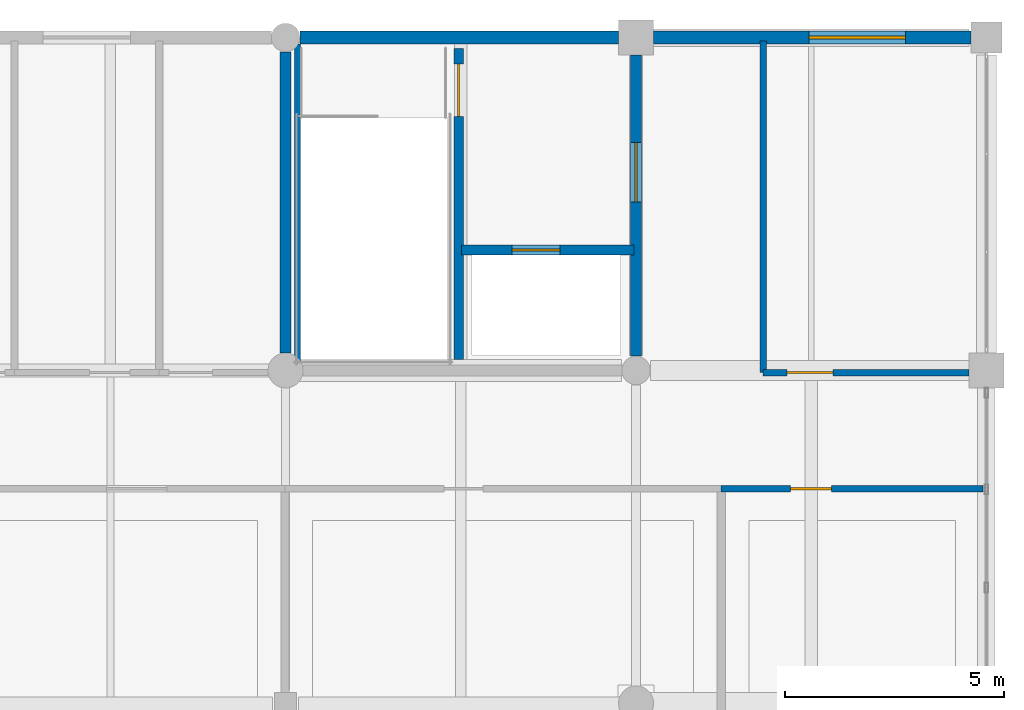
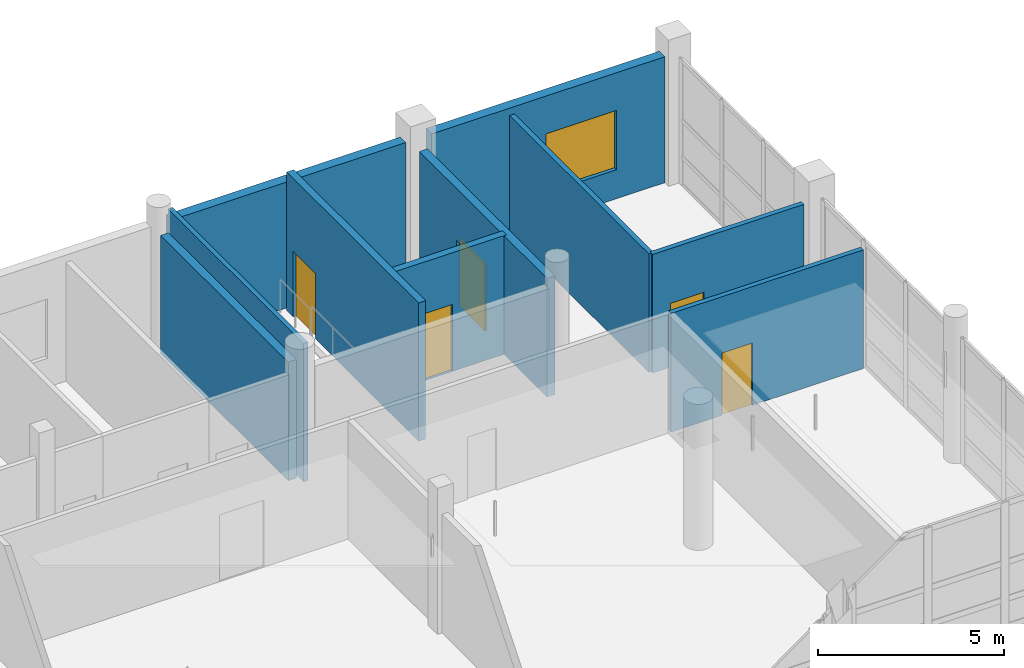
# One storey, part 13 of 18: 10 walls, 5 doors, 1 window, 6 openings.
"""IFC4 building model written with IfcOpenShell, lengths in metres."""

from ifc_helpers import new_model, si_unit, direction, frame, frame_2d, origin, place, context, subcontext, project, spatial, rectangle, extrude, material, layer, layer_set, type_object, element, fill, save


model = new_model("IFC4")

# Units and contexts
model_context = context("Model", 3, precision=1e-05, world=origin(), true_north=direction((0.0, 1.0)))
body_context = subcontext(model_context, "Body", "Model", "MODEL_VIEW")
ifc_project = project(units=[si_unit("LENGTHUNIT", "METRE"), si_unit("AREAUNIT", "SQUARE_METRE"), si_unit("VOLUMEUNIT", "CUBIC_METRE"), si_unit("PLANEANGLEUNIT", "RADIAN"), si_unit("MASSUNIT", "GRAM", prefix="KILO")], contexts=[model_context])

# Site, building, storey
site_placement = place(None, origin())
site = spatial("IfcSite", under=ifc_project, at=site_placement, CompositionType="ELEMENT")
building_placement = place(site_placement, origin())
building = spatial("IfcBuilding", under=site, at=building_placement, Name="Khelvaren Railside Concert Hall", CompositionType="ELEMENT")
storey_placement = place(building_placement, frame((0.0, 0.0, 24.60009765625)))
storey = spatial("IfcBuildingStorey", under=building, at=storey_placement, Name="L05", CompositionType="ELEMENT", Elevation=24.60009765625)

# Walls
ifc_material_1 = material(Name="Concrete C40/50", Category="concrete")
ifc_layer_1 = layer(ifc_material_1, 0.139892578125)
ifc_layer_set_1 = layer_set([ifc_layer_1], Name="Concrete C40/50")
wall_type_1 = type_object("IfcWallType", Name="CW17", PredefinedType="SOLIDWALL", material=ifc_layer_set_1)
wall_1_placement = place(storey_placement, frame((168.27490234375, 106.550048828125, 0.0), z_axis=(0.0, 0.0, 1.0), x_axis=(0.0, 1.0, 0.0)))
element("IfcWall", 1, at=wall_1_placement, inside=storey, type_object=wall_type_1, Name="Core Shaft Structural Liner Wall ST-10-L05", PredefinedType="SOLIDWALL", context=body_context, shape_type="SweptSolid", body=[
    extrude(rectangle(XDim=7.300048828125, YDim=0.139892578125, at=frame_2d((3.64990234375, 0.0))), origin(), (0.0, 0.0, 1.0), 4.5498046875),
])
ifc_layer_2 = layer(ifc_material_1, 0.25)
ifc_layer_set_2 = layer_set([ifc_layer_2], Name="Concrete C40/50")
wall_type_2 = type_object("IfcWallType", Name="CW82", PredefinedType="SOLIDWALL", material=ifc_layer_set_2)
wall_2_placement = place(storey_placement, frame((168.0, 106.800048828125, 0.0), z_axis=(0.0, 0.0, 1.0), x_axis=(0.0, 1.0, 0.0)))
element("IfcWall", 2, at=wall_2_placement, inside=storey, type_object=wall_type_2, Name="Core Enclosure Wall CWALL-ST-10-L05-W", PredefinedType="SOLIDWALL", context=body_context, shape_type="SweptSolid", body=[
    extrude(rectangle(XDim=6.875, YDim=0.25, at=frame_2d((3.4375, 0.0))), origin(), (0.0, 0.0, 1.0), 3.89990234375),
])

# Wall, opening, door
wall_3_placement = place(storey_placement, frame((176.0, 106.72509765625, 0.0), z_axis=(0.0, 0.0, 1.0), x_axis=(0.0, 1.0, 0.0)))
wall_3 = element("IfcWall", 3, at=wall_3_placement, inside=storey, type_object=wall_type_2, Name="Core Enclosure Wall CWALL-ST-10-L05-E", PredefinedType="SOLIDWALL", context=body_context, shape_type="SweptSolid", body=[
    extrude(rectangle(XDim=6.875, YDim=0.25, at=frame_2d((3.4375, 0.0))), origin(), (0.0, 0.0, 1.0), 3.89990234375),
])
opening_1_placement = place(wall_3_placement, frame((3.52490234375, 0.0, 0.0)))
opening_1 = element("IfcOpeningElement", 4, at=opening_1_placement, cuts=wall_3, Name="Opening FDR34", PredefinedType="OPENING", context=body_context, shape_type="SweptSolid", body=[
    extrude(rectangle(XDim=1.35009765625, YDim=2.199951171875, at=frame_2d((0.675048828125, 1.10009765625))), frame((0.0, 0.135009765625, 0.0), z_axis=(0.0, -1.0, 0.0), x_axis=(1.0, 0.0, 0.0)), (0.0, 0.0, 1.0), 0.27001953125),
])
ifc_material_2 = material(Name="Acoustic fire-rated timber-core steel frame door", Category="steel")
door_type_1 = type_object("IfcDoorType", Name="FDR34", OperationType="NOTDEFINED", PredefinedType="DOOR", material=ifc_material_2)
door_1_placement = place(opening_1_placement, origin())
door_1 = element("IfcDoor", 5, at=door_1_placement, inside=storey, type_object=door_type_1, Name="Interior Door DR-ST-10-L05-LOB", OperationType="SINGLE_SWING_LEFT", OverallHeight=2.199951171875, OverallWidth=1.35009765625, PredefinedType="DOOR", context=body_context, shape_type="SweptSolid", body=[
    extrude(rectangle(XDim=1.35009765625, YDim=2.199951171875, at=frame_2d((0.675048828125, 1.10009765625))), frame((0.0, 0.02490234375, 0.0), z_axis=(0.0, -1.0, 0.0), x_axis=(1.0, 0.0, 0.0)), (0.0, 0.0, 1.0), 0.050048828125),
])
fill(opening_1, door_1)

ifc_layer_3 = layer(ifc_material_1, 0.219970703125)
ifc_layer_set_3 = layer_set([ifc_layer_3], Name="Concrete C40/50")
wall_type_3 = type_object("IfcWallType", Name="CW97", PredefinedType="SOLIDWALL", material=ifc_layer_set_3)
wall_4_placement = place(storey_placement, frame((171.949951171875, 106.64990234375, 0.0), z_axis=(0.0, 0.0, 1.0), x_axis=(0.0, 1.0, 0.0)))
wall_4 = element("IfcWall", 6, at=wall_4_placement, inside=storey, type_object=wall_type_3, Name="Core Enclosure Wall CWALL-ST-10-L05-MID", PredefinedType="SOLIDWALL", context=body_context, shape_type="SweptSolid", body=[
    extrude(rectangle(XDim=7.10009765625, YDim=0.219970703125, at=frame_2d((3.550048828125, 0.0))), origin(), (0.0, 0.0, 1.0), 4.5498046875),
])
opening_2_placement = place(wall_4_placement, frame((5.550048828125, 0.0, 0.0)))
opening_2 = element("IfcOpeningElement", 7, at=opening_2_placement, cuts=wall_4, Name="Opening FDR17", PredefinedType="OPENING", context=body_context, shape_type="SweptSolid", body=[
    extrude(rectangle(XDim=1.199951171875, YDim=2.14990234375, at=frame_2d((0.60009765625, 1.074951171875))), frame((0.0, 0.119873046875, 0.0), z_axis=(0.0, -1.0, 0.0), x_axis=(1.0, 0.0, 0.0)), (0.0, 0.0, 1.0), 0.239990234375),
])
door_type_2 = type_object("IfcDoorType", Name="FDR17", OperationType="NOTDEFINED", PredefinedType="DOOR", material=ifc_material_2)
door_2_placement = place(opening_2_placement, origin())
door_2 = element("IfcDoor", 8, at=door_2_placement, inside=storey, type_object=door_type_2, Name="Interior Door DR-ST-10-L05-ST", OperationType="SINGLE_SWING_RIGHT", OverallHeight=2.14990234375, OverallWidth=1.199951171875, PredefinedType="DOOR", context=body_context, shape_type="SweptSolid", body=[
    extrude(rectangle(XDim=1.199951171875, YDim=2.14990234375, at=frame_2d((0.60009765625, 1.074951171875))), frame((0.0, 0.02490234375, 0.0), z_axis=(0.0, -1.0, 0.0), x_axis=(1.0, 0.0, 0.0)), (0.0, 0.0, 1.0), 0.050048828125),
])
fill(opening_2, door_2)

wall_5_placement = place(storey_placement, frame((172.02001953125, 109.14990234375, 0.0), z_axis=(0.0, 0.0, 1.0), x_axis=(1.0, 0.0, 0.0)))
wall_5 = element("IfcWall", 9, at=wall_5_placement, inside=storey, type_object=wall_type_3, Name="Core Enclosure Wall CWALL-ST-10-L05-SHF", PredefinedType="SOLIDWALL", context=body_context, shape_type="SweptSolid", body=[
    extrude(rectangle(XDim=3.929931640625, YDim=0.219970703125, at=frame_2d((1.96484375, 0.0))), origin(), (0.0, 0.0, 1.0), 3.89990234375),
])
opening_3_placement = place(wall_5_placement, frame((1.14990234375, 0.0, 0.0)))
opening_3 = element("IfcOpeningElement", 10, at=opening_3_placement, cuts=wall_5, Name="Opening LD-FL-01", PredefinedType="OPENING", context=body_context, shape_type="SweptSolid", body=[
    extrude(rectangle(XDim=1.10009765625, YDim=2.199951171875, at=frame_2d((0.550048828125, 1.10009765625))), frame((0.0, 0.119873046875, 0.0), z_axis=(0.0, -1.0, 0.0), x_axis=(1.0, 0.0, 0.0)), (0.0, 0.0, 1.0), 0.239990234375),
])
ifc_material_3 = material(Name="Fire-rated brushed stainless steel landing door", Category="steel")
door_type_3 = type_object("IfcDoorType", Name="LD96", OperationType="DOUBLE_DOOR_SLIDING", PredefinedType="DOOR", material=ifc_material_3)
door_3_placement = place(opening_3_placement, origin())
door_3 = element("IfcDoor", 11, at=door_3_placement, inside=storey, type_object=door_type_3, Name="Lift Landing Door LD-FL-01-L05", OperationType="DOUBLE_DOOR_SLIDING", OverallHeight=2.199951171875, OverallWidth=1.10009765625, PredefinedType="DOOR", context=body_context, shape_type="SweptSolid", body=[
    extrude(rectangle(XDim=1.10009765625, YDim=2.199951171875, at=frame_2d((0.550048828125, 1.10009765625))), frame((0.0, 0.02490234375, 0.0), z_axis=(0.0, -1.0, 0.0), x_axis=(1.0, 0.0, 0.0)), (0.0, 0.0, 1.0), 0.050048828125),
])
fill(opening_3, door_3)

# Wall
ifc_material_4 = material(Name="Board-marked architectural concrete C40/50", Category="concrete")
ifc_layer_4 = layer(ifc_material_4, 0.300048828125)
ifc_layer_set_4 = layer_set([ifc_layer_4], Name="Board-marked architectural concrete C40/50")
wall_type_4 = type_object("IfcWallType", Name="EW54", PredefinedType="SOLIDWALL", material=ifc_layer_set_4)
wall_6_placement = place(storey_placement, frame((168.324951171875, 114.0, 0.0), z_axis=(0.0, 0.0, 1.0), x_axis=(1.0, 0.0, 0.0)))
element("IfcWall", 12, at=wall_6_placement, inside=storey, type_object=wall_type_4, Name="V5 L05 Exterior Concrete Wall N-168", PredefinedType="SOLIDWALL", context=body_context, shape_type="SweptSolid", body=[
    extrude(rectangle(XDim=7.275146484375, YDim=0.300048828125, at=frame_2d((3.6376953125, 0.0))), origin(), (0.0, 0.0, 1.0), 4.139892578125),
])

# Wall, opening, window
wall_7_placement = place(storey_placement, frame((176.39990234375, 114.0, 0.0), z_axis=(0.0, 0.0, 1.0), x_axis=(1.0, 0.0, 0.0)))
wall_7 = element("IfcWall", 13, at=wall_7_placement, inside=storey, type_object=wall_type_4, Name="V5 L05 Exterior Concrete Wall N-176", PredefinedType="SOLIDWALL", context=body_context, shape_type="SweptSolid", body=[
    extrude(rectangle(XDim=7.25, YDim=0.300048828125, at=frame_2d((3.625, 0.0))), origin(), (0.0, 0.0, 1.0), 4.139892578125),
])
opening_4_placement = place(wall_7_placement, frame((3.550048828125, 0.0, 0.949951171875)))
opening_4 = element("IfcOpeningElement", 14, at=opening_4_placement, cuts=wall_7, Name="Opening WN17", PredefinedType="OPENING", context=body_context, shape_type="SweptSolid", body=[
    extrude(rectangle(XDim=2.199951171875, YDim=1.949951171875, at=frame_2d((1.10009765625, 0.97509765625))), frame((0.0, 0.159912109375, 0.0), z_axis=(0.0, -1.0, 0.0), x_axis=(1.0, 0.0, 0.0)), (0.0, 0.0, 1.0), 0.320068359375),
])
ifc_material_5 = material(Name="Triple-glazed acoustic aluminium window", Category="aluminium")
window_type = type_object("IfcWindowType", Name="WN17", PartitioningType="DOUBLE_PANEL_VERTICAL", PredefinedType="WINDOW", material=ifc_material_5)
window_placement = place(opening_4_placement, origin())
window = element("IfcWindow", 15, at=window_placement, inside=storey, type_object=window_type, Name="Acoustic Facade Window EW-V5-L05-N-176", OverallHeight=1.949951171875, OverallWidth=2.199951171875, PartitioningType="DOUBLE_PANEL_VERTICAL", PredefinedType="WINDOW", context=body_context, shape_type="SweptSolid", body=[
    extrude(rectangle(XDim=2.199951171875, YDim=1.949951171875, at=frame_2d((1.10009765625, 0.97509765625))), frame((0.0, 0.030029296875, 0.0), z_axis=(0.0, -1.0, 0.0), x_axis=(1.0, 0.0, 0.0)), (0.0, 0.0, 1.0), 0.06005859375),
])
fill(opening_4, window)

# Wall, opening, door
ifc_material_6 = material(Name="Acoustic double-stud gypsum partition", Category="gypsum")
ifc_layer_5 = layer(ifc_material_6, 0.14990234375)
ifc_layer_set_5 = layer_set([ifc_layer_5], Name="Acoustic double-stud gypsum partition")
wall_type_5 = type_object("IfcWallType", Name="PT20", PredefinedType="PARTITIONING", material=ifc_layer_set_5)
wall_8_placement = place(storey_placement, frame((178.89990234375, 106.35009765625, 0.0), z_axis=(0.0, 0.0, 1.0), x_axis=(1.0, 0.0, 0.0)))
wall_8 = element("IfcWall", 16, at=wall_8_placement, inside=storey, type_object=wall_type_5, Name="Acoustic Partition Wall PW-V5-L05-NE-C01", PredefinedType="PARTITIONING", context=body_context, shape_type="SweptSolid", body=[
    extrude(rectangle(XDim=4.7001953125, YDim=0.14990234375, at=frame_2d((2.35009765625, 0.0))), origin(), (0.0, 0.0, 1.0), 3.89990234375),
])
opening_5_placement = place(wall_8_placement, frame((0.5458984375, 0.0, 0.0)))
opening_5 = element("IfcOpeningElement", 17, at=opening_5_placement, cuts=wall_8, Name="Opening IDR36", PredefinedType="OPENING", context=body_context, shape_type="SweptSolid", body=[
    extrude(rectangle(XDim=1.050048828125, YDim=2.10009765625, at=frame_2d((0.52490234375, 1.050048828125))), frame((0.0, 0.0849609375, 0.0), z_axis=(0.0, -1.0, 0.0), x_axis=(1.0, 0.0, 0.0)), (0.0, 0.0, 1.0), 0.169921875),
])
ifc_material_7 = material(Name="Solid oak acoustic studio door", Category="wood")
door_type_4 = type_object("IfcDoorType", Name="IDR36", OperationType="NOTDEFINED", PredefinedType="DOOR", material=ifc_material_7)
door_4_placement = place(opening_5_placement, origin())
door_4 = element("IfcDoor", 18, at=door_4_placement, inside=storey, type_object=door_type_4, Name="Interior Door DR-V5-L05-NE-01", OperationType="SINGLE_SWING_RIGHT", OverallHeight=2.10009765625, OverallWidth=1.050048828125, PredefinedType="DOOR", context=body_context, shape_type="SweptSolid", body=[
    extrude(rectangle(XDim=1.050048828125, YDim=2.10009765625, at=frame_2d((0.52490234375, 1.050048828125))), frame((0.0, 0.02490234375, 0.0), z_axis=(0.0, -1.0, 0.0), x_axis=(1.0, 0.0, 0.0)), (0.0, 0.0, 1.0), 0.050048828125),
])
fill(opening_5, door_4)

# Wall
wall_9_placement = place(storey_placement, frame((178.89990234375, 106.35009765625, 0.0), z_axis=(0.0, 0.0, 1.0), x_axis=(0.0, 1.0, 0.0)))
element("IfcWall", 19, at=wall_9_placement, inside=storey, type_object=wall_type_5, Name="Acoustic Partition Wall PW-V5-L05-NE-W0", PredefinedType="PARTITIONING", context=body_context, shape_type="SweptSolid", body=[
    extrude(rectangle(XDim=7.56982421875, YDim=0.14990234375, at=frame_2d((3.784912109375, 0.0))), origin(), (0.0, 0.0, 1.0), 3.89990234375),
])

# Wall, opening, door
ifc_layer_6 = layer(ifc_material_6, 0.14990234375)
ifc_layer_set_6 = layer_set([ifc_layer_6], Name="Acoustic double-stud gypsum partition")
wall_type_6 = type_object("IfcWallType", Name="PT72", PredefinedType="PARTITIONING", material=ifc_layer_set_6)
wall_10_placement = place(storey_placement, frame((177.944091796875, 103.699951171875, 0.0), z_axis=(0.0, 0.0, 1.0), x_axis=(1.0, 0.0, 0.0)))
wall_10 = element("IfcWall", 20, at=wall_10_placement, inside=storey, type_object=wall_type_6, Name="Acoustic Partition Wall PW-V5-L05-S-C04", PredefinedType="PARTITIONING", context=body_context, shape_type="SweptSolid", body=[
    extrude(rectangle(XDim=5.975830078125, YDim=0.14990234375, at=frame_2d((2.98779296875, 0.0))), origin(), (0.0, 0.0, 1.0), 3.89990234375),
])
opening_6_placement = place(wall_10_placement, frame((1.580810546875, 0.0, 0.0)))
opening_6 = element("IfcOpeningElement", 21, at=opening_6_placement, cuts=wall_10, Name="Opening IDR92", PredefinedType="OPENING", context=body_context, shape_type="SweptSolid", body=[
    extrude(rectangle(XDim=0.93994140625, YDim=2.050048828125, at=frame_2d((0.469970703125, 1.02490234375))), frame((0.0, 0.0849609375, 0.0), z_axis=(0.0, -1.0, 0.0), x_axis=(1.0, 0.0, 0.0)), (0.0, 0.0, 1.0), 0.169921875),
])
door_type_5 = type_object("IfcDoorType", Name="IDR92", OperationType="NOTDEFINED", PredefinedType="DOOR", material=ifc_material_7)
door_5_placement = place(opening_6_placement, origin())
door_5 = element("IfcDoor", 22, at=door_5_placement, inside=storey, type_object=door_type_5, Name="Interior Door DR-V5-L05-S-04", OperationType="SINGLE_SWING_LEFT", OverallHeight=2.050048828125, OverallWidth=0.93994140625, PredefinedType="DOOR", context=body_context, shape_type="SweptSolid", body=[
    extrude(rectangle(XDim=0.93994140625, YDim=2.050048828125, at=frame_2d((0.469970703125, 1.02490234375))), frame((0.0, 0.02490234375, 0.0), z_axis=(0.0, -1.0, 0.0), x_axis=(1.0, 0.0, 0.0)), (0.0, 0.0, 1.0), 0.050048828125),
])
fill(opening_6, door_5)

save(model, "model.ifc")
